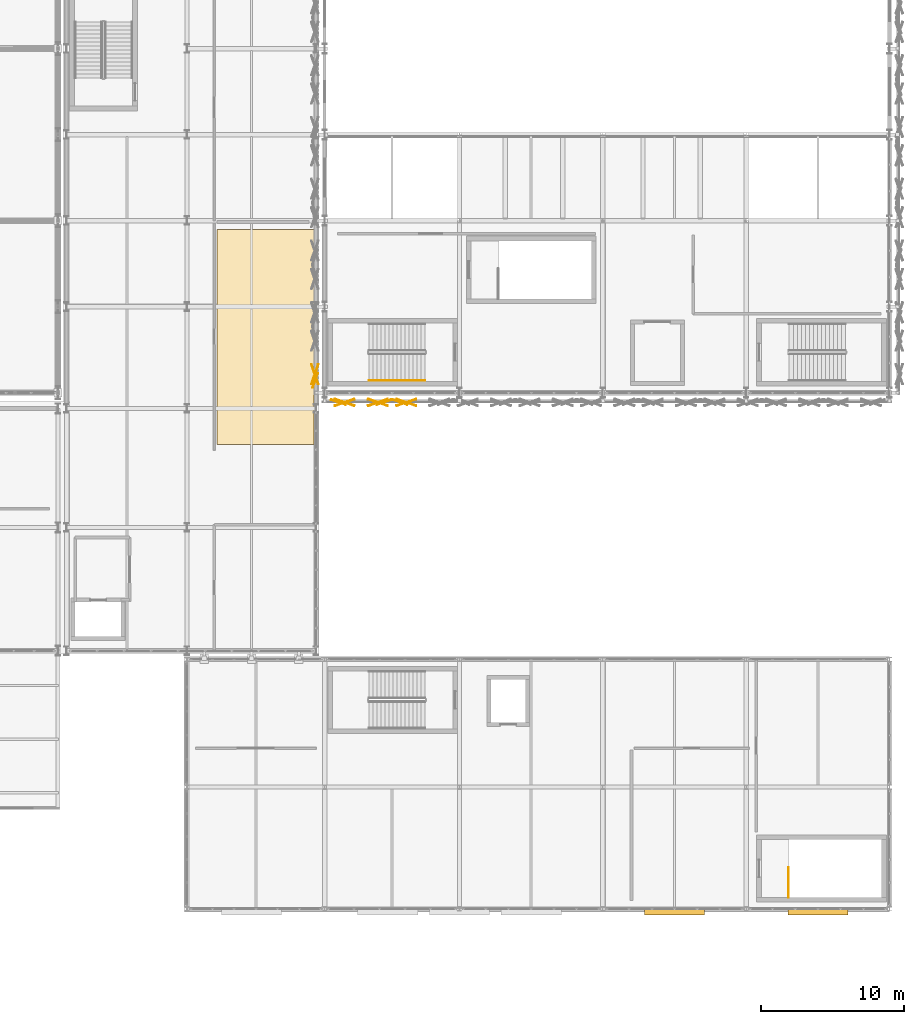
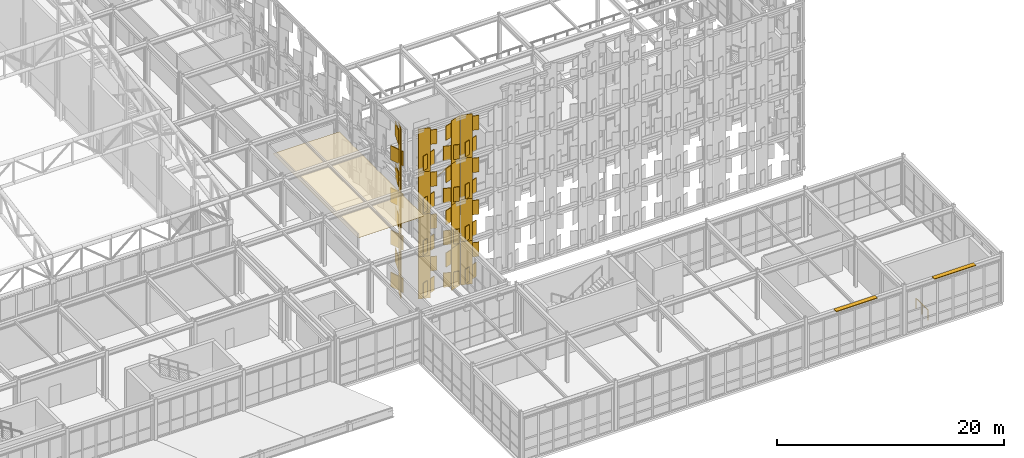
# One storey, part 227 of 239: 49 coverings, 2 railings, 2 shading devices.
"""IFC4 building model written with IfcOpenShell, lengths in metres."""

from ifc_helpers import new_model, si_unit, direction, frame, origin, origin_2d, place, context, subcontext, project, spatial, polyline, rectangle, circle, outline, extrude, material, layer, layer_set, type_object, element, save


model = new_model("IFC4")

# Units and contexts
model_context = context("Model", 3, precision=1e-05, world=origin(), true_north=direction((0.0, 1.0)))
body_context = subcontext(model_context, "Body", "Model", "MODEL_VIEW")
ifc_project = project(units=[si_unit("LENGTHUNIT", "METRE"), si_unit("AREAUNIT", "SQUARE_METRE"), si_unit("VOLUMEUNIT", "CUBIC_METRE"), si_unit("PLANEANGLEUNIT", "RADIAN"), si_unit("MASSUNIT", "GRAM", prefix="KILO")], contexts=[model_context])

# Site, building, storey
site_placement = place(None, origin())
site = spatial("IfcSite", under=ifc_project, at=site_placement, CompositionType="ELEMENT")
building_placement = place(site_placement, origin())
building = spatial("IfcBuilding", under=site, at=building_placement, Name="Kaldris Quays Convention Centre", CompositionType="ELEMENT")
storey_placement = place(building_placement, frame((0.0, 0.0, 11.39990234375)))
storey = spatial("IfcBuildingStorey", under=building, at=storey_placement, Name="L02", CompositionType="ELEMENT", Elevation=11.39990234375)

# Covering
ifc_material_1 = material(Name="Mineral fibre acoustic ceiling tile", Category="gypsum")
ifc_layer_1 = layer(ifc_material_1, 0.02490234375)
ifc_layer_set_1 = layer_set([ifc_layer_1], Name="Mineral fibre acoustic ceiling tile")
covering_type_1 = type_object("IfcCoveringType", Name="ACOUSTIC MINERAL CEILING AC01", PredefinedType="CEILING", material=ifc_layer_set_1)
covering_1_placement = place(storey_placement, frame((0.0, 0.0, 3.60009765625)))
element("IfcCovering", 1, at=covering_1_placement, inside=storey, type_object=covering_type_1, Name="L02 Acoustic Ceiling Sail 3", PredefinedType="CEILING", context=body_context, shape_type="SweptSolid", body=[
    extrude(outline(polyline([(157.10009765625, 52.39990234375), (163.85009765625, 52.39990234375), (163.85009765625, 67.39990234375), (157.10009765625, 67.39990234375), (157.10009765625, 52.39990234375)])), origin(), (0.0, 0.0, 1.0), 0.02490234375),
])

# Railing
ifc_material_2 = material(Name="Steel S355J2", Category="steel")
railing_type_1 = type_object("IfcRailingType", Name="INTERIOR GUARDRAIL GR01", PredefinedType="GUARDRAIL", material=ifc_material_2)
railing_1_placement = place(storey_placement, frame((196.949951171875, 20.800048828125, 0.0)))
element("IfcRailing", 2, at=railing_1_placement, inside=storey, type_object=railing_type_1, Name="L02 ST16 Top Well Guardrail 1", PredefinedType="GUARDRAIL", context=body_context, shape_type="SweptSolid", body=[
    extrude(circle(Radius=0.02392578125, at=origin_2d()), frame((0.0, 0.0, 1.076171875), z_axis=(0.0, 1.0, 0.0), x_axis=(-1.0, 0.0, 0.0)), (0.0, 0.0, 1.0), 2.099853515625),
    extrude(circle(Radius=0.02099609375, at=origin_2d()), origin(), (0.0, 0.0, 1.0), 1.052001953125),
    extrude(circle(Radius=0.02099609375, at=origin_2d()), frame((0.0, 1.0498046875, 0.0)), (0.0, 0.0, 1.0), 1.052001953125),
    extrude(circle(Radius=0.02099609375, at=origin_2d()), frame((0.0, 2.099853515625, 0.0)), (0.0, 0.0, 1.0), 1.052001953125),
])

# Shading devices
ifc_material_3 = material(Name="Anodized aluminium AW-6060", Category="aluminium")
shading_device_type = type_object("IfcShadingDeviceType", Name="SOLAR SHADING LOUVRE SH02", PredefinedType="USERDEFINED", material=ifc_material_3)
for number, where, z_axis, x_axis, name in (
    (3, (189.0, 19.800048828125, 5.125), (0.0, 0.0, 1.0), (1.0, 0.0, 0.0), "L02 Riverfront Solar Louvre 10"),
    (4, (199.0, 19.800048828125, 5.125), (0.0, 0.0, 1.0), (1.0, 0.0, 0.0), "L02 Riverfront Solar Louvre 11"),
):
    element("IfcShadingDevice", number, at=place(storey_placement, frame(where, z_axis=z_axis, x_axis=x_axis)), inside=storey, type_object=shading_device_type, Name=name, ObjectType="LOUVRE", PredefinedType="USERDEFINED", context=body_context, shape_type="SweptSolid", body=[
        extrude(rectangle(XDim=4.199951171875, YDim=0.449951171875, at=origin_2d()), origin(), (0.0, 0.0, 1.0), 0.070068359375),
    ])

# Railing
ifc_material_4 = material(Name="Stainless steel 1.4301", Category="steel")
railing_type_2 = type_object("IfcRailingType", Name="STAIR HANDRAIL HR01", PredefinedType="HANDRAIL", material=ifc_material_4)
railing_2_placement = place(storey_placement, frame((167.679931640625, 56.85009765625, 2.880126953125)))
element("IfcRailing", 5, at=railing_2_placement, inside=storey, type_object=railing_type_2, Name="L02 ST08 Flight Handrail 2", PredefinedType="HANDRAIL", context=body_context, shape_type="SweptSolid", body=[
    extrude(circle(Radius=0.02392578125, at=origin_2d()), frame((0.0, 0.0, 0.8759765625), z_axis=(0.841186985886, 0.0, 0.540744352514), x_axis=(0.0, 1.0, 0.0)), (0.0, 0.0, 1.0), 4.660400390625),
    extrude(circle(Radius=0.02099609375, at=origin_2d()), origin(), (0.0, 0.0, 1.0), 0.851806640625),
    extrude(circle(Radius=0.02099609375, at=origin_2d()), frame((0.97998046875, 0.0, 0.6298828125)), (0.0, 0.0, 1.0), 0.851806640625),
    extrude(circle(Radius=0.02099609375, at=origin_2d()), frame((1.9599609375, 0.0, 1.260009765625)), (0.0, 0.0, 1.0), 0.851806640625),
    extrude(circle(Radius=0.02099609375, at=origin_2d()), frame((2.940185546875, 0.0, 1.89013671875)), (0.0, 0.0, 1.0), 0.851806640625),
    extrude(circle(Radius=0.02099609375, at=origin_2d()), frame((3.920166015625, 0.0, 2.52001953125)), (0.0, 0.0, 1.0), 0.851806640625),
])

# Coverings
ifc_material_5 = material(Name="Alabaster white star-pierced anodized aluminium panel", Category="aluminium")
ifc_layer_2 = layer(ifc_material_5, 0.044921875)
ifc_layer_set_2 = layer_set([ifc_layer_2], Name="Alabaster white star-pierced anodized aluminium panel")
covering_type_2 = type_object("IfcCoveringType", Name="STAR PIERCED WHITE FOLDED SCREEN CL01", PredefinedType="CLADDING", material=ifc_layer_set_2)
covering_2_placement = place(storey_placement, frame((163.93994140625, 56.860107421875, -7.60986328125), z_axis=(0.0, 0.0, 1.0), x_axis=(0.325568154457, 0.945518575599, 0.0)))
element("IfcCovering", 6, at=covering_2_placement, inside=storey, type_object=covering_type_2, Name="V2W Folded White Screen Stile 2141", PredefinedType="CLADDING", context=body_context, shape_type="SweptSolid", body=[
    extrude(rectangle(XDim=1.093994140625, YDim=0.054931640625, at=origin_2d()), origin(), (0.0, 0.0, 1.0), 4.669921875),
])
for number, where, z_axis, x_axis, name in (
    (7, (163.919921875, 57.291015625, -7.27685546875), (0.0, 0.0, 1.0), (-0.325568154457, 0.945518575599, 0.0), "V2W Carved Star Corner Facet 2143"),
    (8, (163.919921875, 57.291015625, -4.81982421875), (0.0, 0.0, 1.0), (0.325568154457, 0.945518575599, 0.0), "V2W Carved Star Corner Facet 2144"),
):
    element("IfcCovering", number, at=place(storey_placement, frame(where, z_axis=z_axis, x_axis=x_axis)), inside=storey, type_object=covering_type_2, Name=name, PredefinedType="CLADDING", context=body_context, shape_type="SweptSolid", body=[
        extrude(rectangle(XDim=1.465087890625, YDim=0.06494140625, at=origin_2d()), origin(), (0.0, 0.0, 1.0), 1.547119140625),
    ])
covering_3_placement = place(storey_placement, frame((163.93994140625, 56.860107421875, -3.059814453125), z_axis=(0.0, 0.0, 1.0), x_axis=(0.325568154457, 0.945518575599, 0.0)))
element("IfcCovering", 9, at=covering_3_placement, inside=storey, type_object=covering_type_2, Name="V2W Folded White Screen Stile 2147", PredefinedType="CLADDING", context=body_context, shape_type="SweptSolid", body=[
    extrude(rectangle(XDim=1.093994140625, YDim=0.054931640625, at=origin_2d()), origin(), (0.0, 0.0, 1.0), 4.669921875),
])
for number, where, z_axis, x_axis, name in (
    (10, (163.919921875, 57.291015625, -2.72705078125), (0.0, 0.0, 1.0), (-0.325568154457, 0.945518575599, 0.0), "V2W Carved Star Corner Facet 2149"),
    (11, (163.919921875, 57.291015625, -0.27001953125), (0.0, 0.0, 1.0), (0.325568154457, 0.945518575599, 0.0), "V2W Carved Star Corner Facet 2150"),
):
    element("IfcCovering", number, at=place(storey_placement, frame(where, z_axis=z_axis, x_axis=x_axis)), inside=storey, type_object=covering_type_2, Name=name, PredefinedType="CLADDING", context=body_context, shape_type="SweptSolid", body=[
        extrude(rectangle(XDim=1.465087890625, YDim=0.06494140625, at=origin_2d()), origin(), (0.0, 0.0, 1.0), 1.547119140625),
    ])
covering_4_placement = place(storey_placement, frame((163.93994140625, 56.860107421875, 1.490234375), z_axis=(0.0, 0.0, 1.0), x_axis=(0.325568154457, 0.945518575599, 0.0)))
element("IfcCovering", 12, at=covering_4_placement, inside=storey, type_object=covering_type_2, Name="V2W Folded White Screen Stile 2153", PredefinedType="CLADDING", context=body_context, shape_type="SweptSolid", body=[
    extrude(rectangle(XDim=1.093994140625, YDim=0.054931640625, at=origin_2d()), origin(), (0.0, 0.0, 1.0), 4.669921875),
])
for number, where, z_axis, x_axis, name in (
    (13, (163.919921875, 57.291015625, 1.8232421875), (0.0, 0.0, 1.0), (-0.325568154457, 0.945518575599, 0.0), "V2W Carved Star Corner Facet 2155"),
    (14, (163.919921875, 57.291015625, 4.2802734375), (0.0, 0.0, 1.0), (0.325568154457, 0.945518575599, 0.0), "V2W Carved Star Corner Facet 2156"),
):
    element("IfcCovering", number, at=place(storey_placement, frame(where, z_axis=z_axis, x_axis=x_axis)), inside=storey, type_object=covering_type_2, Name=name, PredefinedType="CLADDING", context=body_context, shape_type="SweptSolid", body=[
        extrude(rectangle(XDim=1.465087890625, YDim=0.06494140625, at=origin_2d()), origin(), (0.0, 0.0, 1.0), 1.547119140625),
    ])
covering_5_placement = place(storey_placement, frame((163.93994140625, 56.860107421875, 6.0400390625), z_axis=(0.0, 0.0, 1.0), x_axis=(0.325568154457, 0.945518575599, 0.0)))
element("IfcCovering", 15, at=covering_5_placement, inside=storey, type_object=covering_type_2, Name="V2W Folded White Screen Stile 2159", PredefinedType="CLADDING", context=body_context, shape_type="SweptSolid", body=[
    extrude(rectangle(XDim=1.093994140625, YDim=0.054931640625, at=origin_2d()), origin(), (0.0, 0.0, 1.0), 4.669921875),
])
for number, where, z_axis, x_axis, name in (
    (16, (163.919921875, 57.291015625, 6.373046875), (0.0, 0.0, 1.0), (-0.325568154457, 0.945518575599, 0.0), "V2W Carved Star Corner Facet 2161"),
    (17, (163.919921875, 57.291015625, 8.830078125), (0.0, 0.0, 1.0), (0.325568154457, 0.945518575599, 0.0), "V2W Carved Star Corner Facet 2162"),
):
    element("IfcCovering", number, at=place(storey_placement, frame(where, z_axis=z_axis, x_axis=x_axis)), inside=storey, type_object=covering_type_2, Name=name, PredefinedType="CLADDING", context=body_context, shape_type="SweptSolid", body=[
        extrude(rectangle(XDim=1.465087890625, YDim=0.06494140625, at=origin_2d()), origin(), (0.0, 0.0, 1.0), 1.547119140625),
    ])
for number, where, z_axis, x_axis, name in (
    (18, (165.55908203125, 55.340087890625, -7.60986328125), (0.0, 0.0, 1.0), (0.945518575599, -0.325568154457, 0.0), "V2S Folded White Screen Stile 2410"),
    (19, (168.740966796875, 55.340087890625, -7.60986328125), (0.0, 0.0, 1.0), (0.945518575599, 0.325568154457, 0.0), "V2S Folded White Screen Stile 2411"),
):
    element("IfcCovering", number, at=place(storey_placement, frame(where, z_axis=z_axis, x_axis=x_axis)), inside=storey, type_object=covering_type_2, Name=name, PredefinedType="CLADDING", context=body_context, shape_type="SweptSolid", body=[
        extrude(rectangle(XDim=1.091064453125, YDim=0.054931640625, at=origin_2d()), origin(), (0.0, 0.0, 1.0), 4.669921875),
    ])
for number, where, z_axis, x_axis, name in (
    (20, (165.989013671875, 55.320068359375, -7.27685546875), (0.0, 0.0, 1.0), (0.945518575599, 0.325568154457, 0.0), "V2S Carved Star Corner Facet 2412"),
    (21, (165.989013671875, 55.320068359375, -4.81982421875), (0.0, 0.0, 1.0), (0.945518575599, -0.325568154457, 0.0), "V2S Carved Star Corner Facet 2413"),
    (22, (168.31103515625, 55.320068359375, -7.27685546875), (0.0, 0.0, 1.0), (0.945518575599, -0.325568154457, 0.0), "V2S Carved Star Corner Facet 2414"),
    (23, (168.31103515625, 55.320068359375, -4.81982421875), (0.0, 0.0, 1.0), (0.945518575599, 0.325568154457, 0.0), "V2S Carved Star Corner Facet 2415"),
):
    element("IfcCovering", number, at=place(storey_placement, frame(where, z_axis=z_axis, x_axis=x_axis)), inside=storey, type_object=covering_type_2, Name=name, PredefinedType="CLADDING", context=body_context, shape_type="SweptSolid", body=[
        extrude(rectangle(XDim=1.4619140625, YDim=0.06494140625, at=origin_2d()), origin(), (0.0, 0.0, 1.0), 1.547119140625),
    ])
for number, where, z_axis, x_axis, name in (
    (24, (165.55908203125, 55.340087890625, -3.059814453125), (0.0, 0.0, 1.0), (0.945518575599, -0.325568154457, 0.0), "V2S Folded White Screen Stile 2416"),
    (25, (168.740966796875, 55.340087890625, -3.059814453125), (0.0, 0.0, 1.0), (0.945518575599, 0.325568154457, 0.0), "V2S Folded White Screen Stile 2417"),
):
    element("IfcCovering", number, at=place(storey_placement, frame(where, z_axis=z_axis, x_axis=x_axis)), inside=storey, type_object=covering_type_2, Name=name, PredefinedType="CLADDING", context=body_context, shape_type="SweptSolid", body=[
        extrude(rectangle(XDim=1.091064453125, YDim=0.054931640625, at=origin_2d()), origin(), (0.0, 0.0, 1.0), 4.669921875),
    ])
for number, where, z_axis, x_axis, name in (
    (26, (165.989013671875, 55.320068359375, -2.72705078125), (0.0, 0.0, 1.0), (0.945518575599, 0.325568154457, 0.0), "V2S Carved Star Corner Facet 2418"),
    (27, (165.989013671875, 55.320068359375, -0.27001953125), (0.0, 0.0, 1.0), (0.945518575599, -0.325568154457, 0.0), "V2S Carved Star Corner Facet 2419"),
    (28, (168.31103515625, 55.320068359375, -2.72705078125), (0.0, 0.0, 1.0), (0.945518575599, -0.325568154457, 0.0), "V2S Carved Star Corner Facet 2420"),
    (29, (168.31103515625, 55.320068359375, -0.27001953125), (0.0, 0.0, 1.0), (0.945518575599, 0.325568154457, 0.0), "V2S Carved Star Corner Facet 2421"),
):
    element("IfcCovering", number, at=place(storey_placement, frame(where, z_axis=z_axis, x_axis=x_axis)), inside=storey, type_object=covering_type_2, Name=name, PredefinedType="CLADDING", context=body_context, shape_type="SweptSolid", body=[
        extrude(rectangle(XDim=1.4619140625, YDim=0.06494140625, at=origin_2d()), origin(), (0.0, 0.0, 1.0), 1.547119140625),
    ])
for number, where, z_axis, x_axis, name in (
    (30, (165.55908203125, 55.340087890625, 1.490234375), (0.0, 0.0, 1.0), (0.945518575599, -0.325568154457, 0.0), "V2S Folded White Screen Stile 2422"),
    (31, (168.740966796875, 55.340087890625, 1.490234375), (0.0, 0.0, 1.0), (0.945518575599, 0.325568154457, 0.0), "V2S Folded White Screen Stile 2423"),
):
    element("IfcCovering", number, at=place(storey_placement, frame(where, z_axis=z_axis, x_axis=x_axis)), inside=storey, type_object=covering_type_2, Name=name, PredefinedType="CLADDING", context=body_context, shape_type="SweptSolid", body=[
        extrude(rectangle(XDim=1.091064453125, YDim=0.054931640625, at=origin_2d()), origin(), (0.0, 0.0, 1.0), 4.669921875),
    ])
for number, where, z_axis, x_axis, name in (
    (32, (165.989013671875, 55.320068359375, 1.8232421875), (0.0, 0.0, 1.0), (0.945518575599, 0.325568154457, 0.0), "V2S Carved Star Corner Facet 2424"),
    (33, (165.989013671875, 55.320068359375, 4.2802734375), (0.0, 0.0, 1.0), (0.945518575599, -0.325568154457, 0.0), "V2S Carved Star Corner Facet 2425"),
    (34, (168.31103515625, 55.320068359375, 1.8232421875), (0.0, 0.0, 1.0), (0.945518575599, -0.325568154457, 0.0), "V2S Carved Star Corner Facet 2426"),
    (35, (168.31103515625, 55.320068359375, 4.2802734375), (0.0, 0.0, 1.0), (0.945518575599, 0.325568154457, 0.0), "V2S Carved Star Corner Facet 2427"),
):
    element("IfcCovering", number, at=place(storey_placement, frame(where, z_axis=z_axis, x_axis=x_axis)), inside=storey, type_object=covering_type_2, Name=name, PredefinedType="CLADDING", context=body_context, shape_type="SweptSolid", body=[
        extrude(rectangle(XDim=1.4619140625, YDim=0.06494140625, at=origin_2d()), origin(), (0.0, 0.0, 1.0), 1.547119140625),
    ])
for number, where, z_axis, x_axis, name in (
    (36, (165.55908203125, 55.340087890625, 6.0400390625), (0.0, 0.0, 1.0), (0.945518575599, -0.325568154457, 0.0), "V2S Folded White Screen Stile 2428"),
    (37, (168.740966796875, 55.340087890625, 6.0400390625), (0.0, 0.0, 1.0), (0.945518575599, 0.325568154457, 0.0), "V2S Folded White Screen Stile 2429"),
):
    element("IfcCovering", number, at=place(storey_placement, frame(where, z_axis=z_axis, x_axis=x_axis)), inside=storey, type_object=covering_type_2, Name=name, PredefinedType="CLADDING", context=body_context, shape_type="SweptSolid", body=[
        extrude(rectangle(XDim=1.091064453125, YDim=0.054931640625, at=origin_2d()), origin(), (0.0, 0.0, 1.0), 4.669921875),
    ])
for number, where, z_axis, x_axis, name in (
    (38, (165.989013671875, 55.320068359375, 6.373046875), (0.0, 0.0, 1.0), (0.945518575599, 0.325568154457, 0.0), "V2S Carved Star Corner Facet 2430"),
    (39, (165.989013671875, 55.320068359375, 8.830078125), (0.0, 0.0, 1.0), (0.945518575599, -0.325568154457, 0.0), "V2S Carved Star Corner Facet 2431"),
    (40, (168.31103515625, 55.320068359375, 6.373046875), (0.0, 0.0, 1.0), (0.945518575599, -0.325568154457, 0.0), "V2S Carved Star Corner Facet 2432"),
    (41, (168.31103515625, 55.320068359375, 8.830078125), (0.0, 0.0, 1.0), (0.945518575599, 0.325568154457, 0.0), "V2S Carved Star Corner Facet 2433"),
):
    element("IfcCovering", number, at=place(storey_placement, frame(where, z_axis=z_axis, x_axis=x_axis)), inside=storey, type_object=covering_type_2, Name=name, PredefinedType="CLADDING", context=body_context, shape_type="SweptSolid", body=[
        extrude(rectangle(XDim=1.4619140625, YDim=0.06494140625, at=origin_2d()), origin(), (0.0, 0.0, 1.0), 1.547119140625),
    ])
covering_6_placement = place(storey_placement, frame((169.85888671875, 55.340087890625, -7.60986328125), z_axis=(0.0, 0.0, 1.0), x_axis=(0.945518575599, -0.325568154457, 0.0)))
element("IfcCovering", 42, at=covering_6_placement, inside=storey, type_object=covering_type_2, Name="V2S Folded White Screen Stile 2434", PredefinedType="CLADDING", context=body_context, shape_type="SweptSolid", body=[
    extrude(rectangle(XDim=1.091064453125, YDim=0.054931640625, at=origin_2d()), origin(), (0.0, 0.0, 1.0), 4.669921875),
])
for number, where, z_axis, x_axis, name in (
    (43, (170.2890625, 55.320068359375, -7.27685546875), (0.0, 0.0, 1.0), (0.945518575599, 0.325568154457, 0.0), "V2S Carved Star Corner Facet 2436"),
    (44, (170.2890625, 55.320068359375, -4.81982421875), (0.0, 0.0, 1.0), (0.945518575599, -0.325568154457, 0.0), "V2S Carved Star Corner Facet 2437"),
):
    element("IfcCovering", number, at=place(storey_placement, frame(where, z_axis=z_axis, x_axis=x_axis)), inside=storey, type_object=covering_type_2, Name=name, PredefinedType="CLADDING", context=body_context, shape_type="SweptSolid", body=[
        extrude(rectangle(XDim=1.4619140625, YDim=0.06494140625, at=origin_2d()), origin(), (0.0, 0.0, 1.0), 1.547119140625),
    ])
covering_7_placement = place(storey_placement, frame((169.85888671875, 55.340087890625, -3.059814453125), z_axis=(0.0, 0.0, 1.0), x_axis=(0.945518575599, -0.325568154457, 0.0)))
element("IfcCovering", 45, at=covering_7_placement, inside=storey, type_object=covering_type_2, Name="V2S Folded White Screen Stile 2440", PredefinedType="CLADDING", context=body_context, shape_type="SweptSolid", body=[
    extrude(rectangle(XDim=1.091064453125, YDim=0.054931640625, at=origin_2d()), origin(), (0.0, 0.0, 1.0), 4.669921875),
])
for number, where, z_axis, x_axis, name in (
    (46, (170.2890625, 55.320068359375, -2.72705078125), (0.0, 0.0, 1.0), (0.945518575599, 0.325568154457, 0.0), "V2S Carved Star Corner Facet 2442"),
    (47, (170.2890625, 55.320068359375, -0.27001953125), (0.0, 0.0, 1.0), (0.945518575599, -0.325568154457, 0.0), "V2S Carved Star Corner Facet 2443"),
):
    element("IfcCovering", number, at=place(storey_placement, frame(where, z_axis=z_axis, x_axis=x_axis)), inside=storey, type_object=covering_type_2, Name=name, PredefinedType="CLADDING", context=body_context, shape_type="SweptSolid", body=[
        extrude(rectangle(XDim=1.4619140625, YDim=0.06494140625, at=origin_2d()), origin(), (0.0, 0.0, 1.0), 1.547119140625),
    ])
covering_8_placement = place(storey_placement, frame((169.85888671875, 55.340087890625, 1.490234375), z_axis=(0.0, 0.0, 1.0), x_axis=(0.945518575599, -0.325568154457, 0.0)))
element("IfcCovering", 48, at=covering_8_placement, inside=storey, type_object=covering_type_2, Name="V2S Folded White Screen Stile 2446", PredefinedType="CLADDING", context=body_context, shape_type="SweptSolid", body=[
    extrude(rectangle(XDim=1.091064453125, YDim=0.054931640625, at=origin_2d()), origin(), (0.0, 0.0, 1.0), 4.669921875),
])
for number, where, z_axis, x_axis, name in (
    (49, (170.2890625, 55.320068359375, 1.8232421875), (0.0, 0.0, 1.0), (0.945518575599, 0.325568154457, 0.0), "V2S Carved Star Corner Facet 2448"),
    (50, (170.2890625, 55.320068359375, 4.2802734375), (0.0, 0.0, 1.0), (0.945518575599, -0.325568154457, 0.0), "V2S Carved Star Corner Facet 2449"),
):
    element("IfcCovering", number, at=place(storey_placement, frame(where, z_axis=z_axis, x_axis=x_axis)), inside=storey, type_object=covering_type_2, Name=name, PredefinedType="CLADDING", context=body_context, shape_type="SweptSolid", body=[
        extrude(rectangle(XDim=1.4619140625, YDim=0.06494140625, at=origin_2d()), origin(), (0.0, 0.0, 1.0), 1.547119140625),
    ])
covering_9_placement = place(storey_placement, frame((169.85888671875, 55.340087890625, 6.0400390625), z_axis=(0.0, 0.0, 1.0), x_axis=(0.945518575599, -0.325568154457, 0.0)))
element("IfcCovering", 51, at=covering_9_placement, inside=storey, type_object=covering_type_2, Name="V2S Folded White Screen Stile 2452", PredefinedType="CLADDING", context=body_context, shape_type="SweptSolid", body=[
    extrude(rectangle(XDim=1.091064453125, YDim=0.054931640625, at=origin_2d()), origin(), (0.0, 0.0, 1.0), 4.669921875),
])
for number, where, z_axis, x_axis, name in (
    (52, (170.2890625, 55.320068359375, 6.373046875), (0.0, 0.0, 1.0), (0.945518575599, 0.325568154457, 0.0), "V2S Carved Star Corner Facet 2454"),
    (53, (170.2890625, 55.320068359375, 8.830078125), (0.0, 0.0, 1.0), (0.945518575599, -0.325568154457, 0.0), "V2S Carved Star Corner Facet 2455"),
):
    element("IfcCovering", number, at=place(storey_placement, frame(where, z_axis=z_axis, x_axis=x_axis)), inside=storey, type_object=covering_type_2, Name=name, PredefinedType="CLADDING", context=body_context, shape_type="SweptSolid", body=[
        extrude(rectangle(XDim=1.4619140625, YDim=0.06494140625, at=origin_2d()), origin(), (0.0, 0.0, 1.0), 1.547119140625),
    ])

save(model, "model.ifc")
